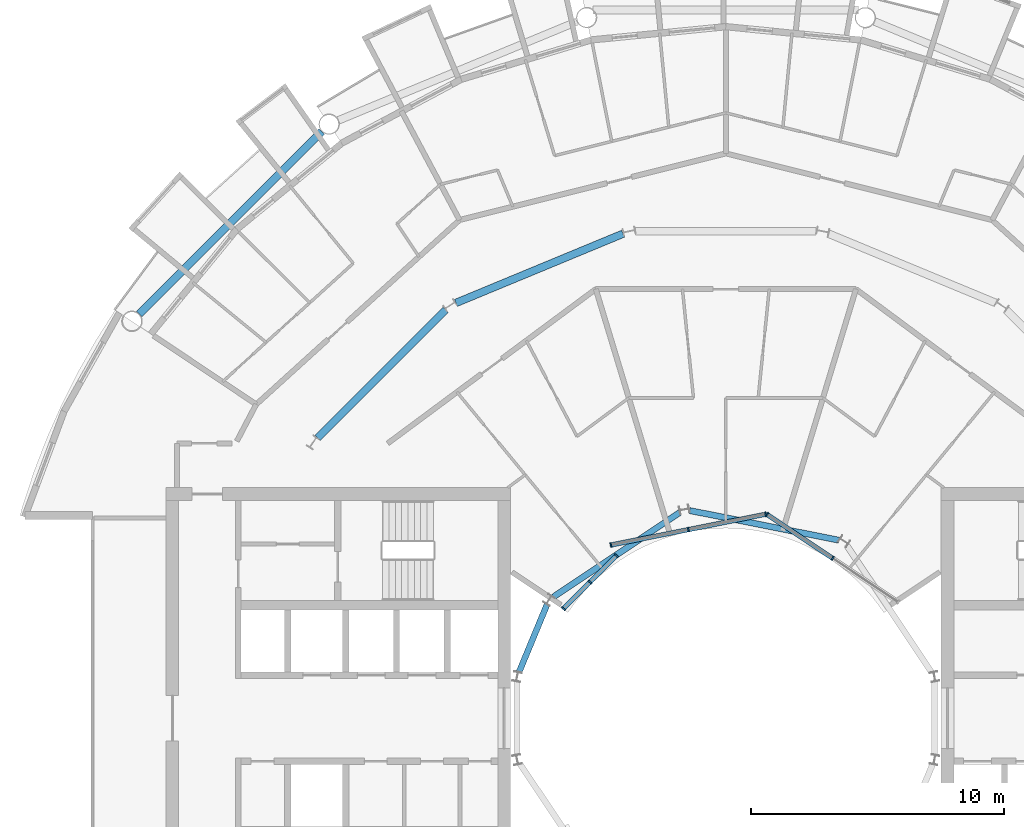
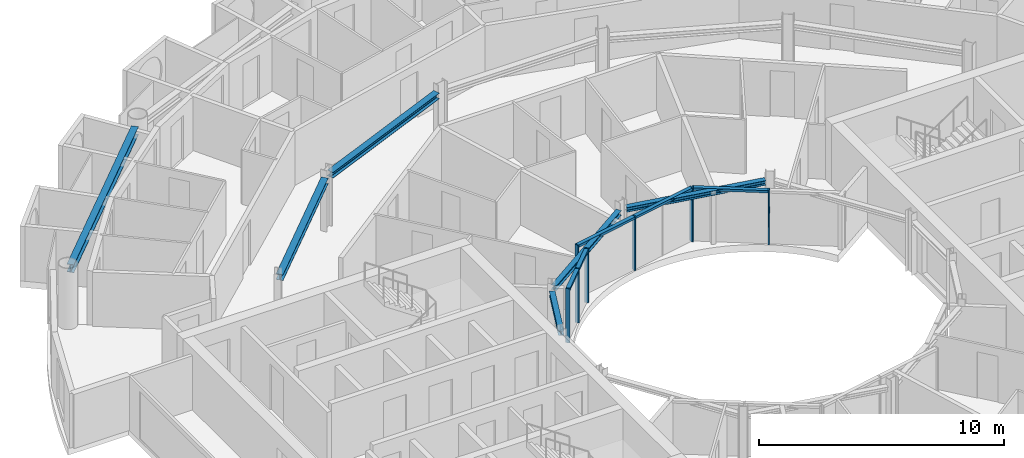
# One storey, part 8 of 27: 13 members, 6 beams, 3 elements without a shape of their own.
"""IFC4 building model written with IfcOpenShell, lengths in metres."""

from ifc_helpers import new_model, si_unit, direction, frame, origin, origin_2d, place, context, subcontext, project, spatial, rectangle, i_section, extrude, material, layer, layer_set, material_profile, profile_set, type_object, element, aggregate, save


model = new_model("IFC4")

# Units and contexts
model_context = context("Model", 3, precision=1e-05, world=origin(), true_north=direction((0.0, 1.0)))
body_context = subcontext(model_context, "Body", "Model", "MODEL_VIEW")
ifc_project = project(units=[si_unit("LENGTHUNIT", "METRE"), si_unit("AREAUNIT", "SQUARE_METRE"), si_unit("VOLUMEUNIT", "CUBIC_METRE"), si_unit("PLANEANGLEUNIT", "RADIAN"), si_unit("MASSUNIT", "GRAM", prefix="KILO")], contexts=[model_context])

# Site, building, storey
site_placement = place(None, origin())
site = spatial("IfcSite", under=ifc_project, at=site_placement, CompositionType="ELEMENT")
building_placement = place(site_placement, origin())
building = spatial("IfcBuilding", under=site, at=building_placement, Name="Maasbend Ring Residences", CompositionType="ELEMENT")
storey_placement = place(building_placement, frame((0.0, 0.0, 151.300048828125)))
storey = spatial("IfcBuildingStorey", under=building, at=storey_placement, Name="L43", CompositionType="ELEMENT", Elevation=151.300048828125)

# Curtain wall, members
ifc_material_1 = material(Name="Aluminium and clear glass", Category="aluminium")
ifc_layer = layer(ifc_material_1, 0.179931640625)
ifc_layer_set = layer_set([ifc_layer], Name="CW-W")
curtain_wall_type = type_object("IfcCurtainWallType", Name="CW-W", PredefinedType="NOTDEFINED", material=ifc_layer_set)
curtain_wall_1_placement = place(storey_placement, origin())
curtain_wall_1 = element("IfcCurtainWall", 1, at=curtain_wall_1_placement, inside=storey, type_object=curtain_wall_type, Name="Well curtain wall N1", PredefinedType="NOTDEFINED")
ifc_material_2 = material(Name="Aluminium 6063-T6", Category="aluminium")
ifc_material_profile_1 = material_profile(ifc_material_2, rectangle(XDim=0.179931640625, YDim=0.06005859375, at=origin_2d()), Name="AL 180x60")
ifc_profile_set_1 = profile_set([ifc_material_profile_1], Name="Aluminium 6063-T6")
member_type_1 = type_object("IfcMemberType", Name="CWM-W", PredefinedType="MULLION", material=ifc_profile_set_1)
member_1_placement = place(storey_placement, frame((4.216796875, 6.310791015625, 0.0), z_axis=(0.0, 0.0, 1.0), x_axis=(-0.55557023302, -0.831469612303, 0.0)))
member_1 = element("IfcMember", 2, at=member_1_placement, type_object=member_type_1, Name="Mullion well face", PredefinedType="MULLION", context=body_context, shape_type="SweptSolid", body=[
    extrude(rectangle(XDim=0.179931640625, YDim=0.06005859375, at=origin_2d()), origin(), (0.0, 0.0, 1.0), 2.699951171875),
])
member_2_placement = place(storey_placement, frame((1.627685546875, 8.040771484375, 0.0), z_axis=(0.0, 0.0, 1.0), x_axis=(-0.55557023302, -0.831469612303, 0.0)))
member_2 = element("IfcMember", 3, at=member_2_placement, type_object=member_type_1, Name="Mullion well face", PredefinedType="MULLION", context=body_context, shape_type="SweptSolid", body=[
    extrude(rectangle(XDim=0.179931640625, YDim=0.06005859375, at=origin_2d()), origin(), (0.0, 0.0, 1.0), 2.699951171875),
])

curtain_wall_2_placement = place(storey_placement, origin())
curtain_wall_2 = element("IfcCurtainWall", 4, at=curtain_wall_2_placement, inside=storey, type_object=curtain_wall_type, Name="Well curtain wall N2", PredefinedType="NOTDEFINED")
member_3_placement = place(storey_placement, frame((1.5732421875, 8.0517578125, 0.0), z_axis=(0.0, 0.0, 1.0), x_axis=(0.195090322016, -0.980785280403, 0.0)))
member_3 = element("IfcMember", 5, at=member_3_placement, type_object=member_type_1, Name="Mullion well face", PredefinedType="MULLION", context=body_context, shape_type="SweptSolid", body=[
    extrude(rectangle(XDim=0.179931640625, YDim=0.06005859375, at=origin_2d()), origin(), (0.0, 0.0, 1.0), 2.699951171875),
])
member_4_placement = place(storey_placement, frame((-1.480712890625, 7.444091796875, 0.0), z_axis=(0.0, 0.0, 1.0), x_axis=(0.195090322016, -0.980785280403, 0.0)))
member_4 = element("IfcMember", 6, at=member_4_placement, type_object=member_type_1, Name="Mullion well face", PredefinedType="MULLION", context=body_context, shape_type="SweptSolid", body=[
    extrude(rectangle(XDim=0.179931640625, YDim=0.06005859375, at=origin_2d()), origin(), (0.0, 0.0, 1.0), 2.699951171875),
])
member_5_placement = place(storey_placement, frame((-4.53466796875, 6.836669921875, 0.0), z_axis=(0.0, 0.0, 1.0), x_axis=(0.195090322016, -0.980785280403, 0.0)))
member_5 = element("IfcMember", 7, at=member_5_placement, type_object=member_type_1, Name="Mullion well face", PredefinedType="MULLION", context=body_context, shape_type="SweptSolid", body=[
    extrude(rectangle(XDim=0.179931640625, YDim=0.06005859375, at=origin_2d()), origin(), (0.0, 0.0, 1.0), 2.699951171875),
])

curtain_wall_3_placement = place(storey_placement, origin())
curtain_wall_3 = element("IfcCurtainWall", 8, at=curtain_wall_3_placement, inside=storey, type_object=curtain_wall_type, Name="Well curtain wall N3", PredefinedType="NOTDEFINED")
member_6_placement = place(storey_placement, frame((-4.320556640625, 6.413330078125, 0.0), z_axis=(0.0, 0.0, 1.0), x_axis=(0.707106781187, -0.707106781187, 0.0)))
member_6 = element("IfcMember", 9, at=member_6_placement, type_object=member_type_1, Name="Mullion well face", PredefinedType="MULLION", context=body_context, shape_type="SweptSolid", body=[
    extrude(rectangle(XDim=0.179931640625, YDim=0.06005859375, at=origin_2d()), origin(), (0.0, 0.0, 1.0), 2.699951171875),
])
member_7_placement = place(storey_placement, frame((-5.366943359375, 5.366943359375, 0.0), z_axis=(0.0, 0.0, 1.0), x_axis=(0.707106781187, -0.707106781187, 0.0)))
member_7 = element("IfcMember", 10, at=member_7_placement, type_object=member_type_1, Name="Mullion well face", PredefinedType="MULLION", context=body_context, shape_type="SweptSolid", body=[
    extrude(rectangle(XDim=0.179931640625, YDim=0.06005859375, at=origin_2d()), origin(), (0.0, 0.0, 1.0), 2.699951171875),
])
member_8_placement = place(storey_placement, frame((-6.413330078125, 4.320556640625, 0.0), z_axis=(0.0, 0.0, 1.0), x_axis=(0.707106781187, -0.707106781187, 0.0)))
member_8 = element("IfcMember", 11, at=member_8_placement, type_object=member_type_1, Name="Mullion well face", PredefinedType="MULLION", context=body_context, shape_type="SweptSolid", body=[
    extrude(rectangle(XDim=0.179931640625, YDim=0.06005859375, at=origin_2d()), origin(), (0.0, 0.0, 1.0), 2.699951171875),
])

# Member
ifc_material_3 = material(Name="Aluminium 6063-T6", Category="aluminium")
ifc_material_profile_2 = material_profile(ifc_material_3, rectangle(XDim=0.179931640625, YDim=0.1201171875, at=origin_2d()), Name="AL 180x120")
ifc_profile_set_2 = profile_set([ifc_material_profile_2], Name="Aluminium 6063-T6")
member_type_2 = type_object("IfcMemberType", Name="CWT-W", PredefinedType="USERDEFINED", material=ifc_profile_set_2)
member_9_placement = place(storey_placement, frame((4.19189453125, 6.32763671875, 2.639892578125), z_axis=(-0.831496422459, 0.555530106689, 0.0), x_axis=(-0.555530106689, -0.831496422459, 0.0)))
member_9 = element("IfcMember", 12, at=member_9_placement, type_object=member_type_2, Name="Transom well face", ObjectType="TRANSOM", PredefinedType="USERDEFINED", context=body_context, shape_type="SweptSolid", body=[
    extrude(rectangle(XDim=0.179931640625, YDim=0.1201171875, at=origin_2d()), origin(), (0.0, 0.0, 1.0), 3.053955078125),
])

aggregate(curtain_wall_1, [member_1, member_2, member_9])

member_10_placement = place(storey_placement, frame((1.5439453125, 8.0458984375, 2.639892578125), z_axis=(-0.980776956105, -0.195132166424, 0.0), x_axis=(0.195132166424, -0.980776956105, 0.0)))
member_10 = element("IfcMember", 13, at=member_10_placement, type_object=member_type_2, Name="Transom well face", ObjectType="TRANSOM", PredefinedType="USERDEFINED", context=body_context, shape_type="SweptSolid", body=[
    extrude(rectangle(XDim=0.179931640625, YDim=0.1201171875, at=origin_2d()), origin(), (0.0, 0.0, 1.0), 3.053955078125),
])

member_11_placement = place(storey_placement, frame((-1.51025390625, 7.438232421875, 2.639892578125), z_axis=(-0.980789210404, -0.19507056353, 0.0), x_axis=(0.19507056353, -0.980789210404, 0.0)))
member_11 = element("IfcMember", 14, at=member_11_placement, type_object=member_type_2, Name="Transom well face", ObjectType="TRANSOM", PredefinedType="USERDEFINED", context=body_context, shape_type="SweptSolid", body=[
    extrude(rectangle(XDim=0.179931640625, YDim=0.1201171875, at=origin_2d()), origin(), (0.0, 0.0, 1.0), 3.0537109375),
])

aggregate(curtain_wall_2, [member_3, member_4, member_5, member_10, member_11])

member_12_placement = place(storey_placement, frame((-4.341796875, 6.39208984375, 2.639892578125), z_axis=(-0.707106781187, -0.707106781187, 0.0), x_axis=(0.707106781187, -0.707106781187, 0.0)))
member_12 = element("IfcMember", 15, at=member_12_placement, type_object=member_type_2, Name="Transom well face", ObjectType="TRANSOM", PredefinedType="USERDEFINED", context=body_context, shape_type="SweptSolid", body=[
    extrude(rectangle(XDim=0.179931640625, YDim=0.1201171875, at=origin_2d()), origin(), (0.0, 0.0, 1.0), 1.419677734375),
])

member_13_placement = place(storey_placement, frame((-5.38818359375, 5.345703125, 2.639892578125), z_axis=(-0.707106781187, -0.707106781187, 0.0), x_axis=(0.707106781187, -0.707106781187, 0.0)))
member_13 = element("IfcMember", 16, at=member_13_placement, type_object=member_type_2, Name="Transom well face", ObjectType="TRANSOM", PredefinedType="USERDEFINED", context=body_context, shape_type="SweptSolid", body=[
    extrude(rectangle(XDim=0.179931640625, YDim=0.1201171875, at=origin_2d()), origin(), (0.0, 0.0, 1.0), 1.419677734375),
])

aggregate(curtain_wall_3, [member_6, member_7, member_8, member_12, member_13])

# Beams
ifc_material_4 = material(Name="Steel S355J2", Category="steel")
ifc_material_profile_3 = material_profile(ifc_material_4, i_section(OverallWidth=0.300048828125, OverallDepth=0.2900390625, WebThickness=0.008544921875, FlangeThickness=0.013916015625, FilletRadius=0.027099609375, at=origin_2d()), Name="HEA 300")
ifc_profile_set_3 = profile_set([ifc_material_profile_3], Name="Steel S355J2")
beam_type_1 = type_object("IfcBeamType", Name="Corridor ring beam HEA 300", PredefinedType="BEAM", material=ifc_profile_set_3)
for number, where, z_axis, x_axis, name in (
    (17, (-4.059326171875, 19.1259765625, 2.554931640625), (-0.923871339849, -0.382703210602, 0.0), (0.382703210602, -0.923871339849, 0.0), "Corridor ring beam"),
    (18, (-11.0693359375, 16.11669921875, 2.554931640625), (-0.707106781187, -0.707106781187, 0.0), (0.707106781187, -0.707106781187, 0.0), "Corridor ring beam"),
):
    element("IfcBeam", number, at=place(storey_placement, frame(where, z_axis=z_axis, x_axis=x_axis)), inside=storey, type_object=beam_type_1, Name=name, PredefinedType="BEAM", context=body_context, shape_type="SweptSolid", body=[
        extrude(i_section(OverallWidth=0.300048828125, OverallDepth=0.2900390625, WebThickness=0.008544921875, FlangeThickness=0.013916015625, FilletRadius=0.027099609375, at=origin_2d()), origin(), (0.0, 0.0, 1.0), 7.137939453125),
    ])
ifc_material_5 = material(Name="Steel S355J2", Category="steel")
ifc_material_profile_4 = material_profile(ifc_material_5, i_section(OverallWidth=0.300048828125, OverallDepth=0.39990234375, WebThickness=0.013427734375, FlangeThickness=0.02392578125, FilletRadius=0.027099609375, at=origin_2d()), Name="HEB 400")
ifc_profile_set_4 = profile_set([ifc_material_profile_4], Name="Steel S355J2")
beam_type_2 = type_object("IfcBeamType", Name="Spandrel ring beam HEB 400", PredefinedType="SPANDREL", material=ifc_profile_set_4)
beam_1_placement = place(storey_placement, frame((-15.95458984375, 23.159912109375, 2.5), z_axis=(-0.707106781187, -0.707106781187, 0.0), x_axis=(0.707106781187, -0.707106781187, 0.0)))
element("IfcBeam", 19, at=beam_1_placement, inside=storey, type_object=beam_type_2, Name="Spandrel ring beam", PredefinedType="SPANDREL", context=body_context, shape_type="SweptSolid", body=[
    extrude(i_section(OverallWidth=0.300048828125, OverallDepth=0.39990234375, WebThickness=0.013427734375, FlangeThickness=0.02392578125, FilletRadius=0.027099609375, at=origin_2d()), origin(), (0.0, 0.0, 1.0), 10.18994140625),
])
ifc_material_6 = material(Name="Steel S355J2", Category="steel")
ifc_material_profile_5 = material_profile(ifc_material_6, i_section(OverallWidth=0.239990234375, OverallDepth=0.22998046875, WebThickness=0.007568359375, FlangeThickness=0.011962890625, FilletRadius=0.02099609375, at=origin_2d()), Name="HEA 240")
ifc_profile_set_5 = profile_set([ifc_material_profile_5], Name="Steel S355J2")
beam_type_3 = type_object("IfcBeamType", Name="Well edge beam HEA 240", PredefinedType="BEAM", material=ifc_profile_set_5)
beam_2_placement = place(storey_placement, frame((4.459716796875, 7.025390625, 2.5849609375), z_axis=(-0.980778695042, 0.195123425945, 0.0), x_axis=(-0.195123425945, -0.980778695042, 0.0)))
element("IfcBeam", 20, at=beam_2_placement, inside=storey, type_object=beam_type_3, Name="Well edge beam", PredefinedType="BEAM", context=body_context, shape_type="SweptSolid", body=[
    extrude(i_section(OverallWidth=0.239990234375, OverallDepth=0.22998046875, WebThickness=0.007568359375, FlangeThickness=0.011962890625, FilletRadius=0.02099609375, at=origin_2d()), origin(), (0.0, 0.0, 1.0), 6.007080078125),
])
beam_3_placement = place(storey_placement, frame((-1.814208984375, 8.121337890625, 2.5849609375), z_axis=(-0.831480850227, -0.555553413909, 0.0), x_axis=(0.555553413909, -0.831480850227, 0.0)))
element("IfcBeam", 21, at=beam_3_placement, inside=storey, type_object=beam_type_3, Name="Well edge beam", PredefinedType="BEAM", context=body_context, shape_type="SweptSolid", body=[
    extrude(i_section(OverallWidth=0.239990234375, OverallDepth=0.22998046875, WebThickness=0.007568359375, FlangeThickness=0.011962890625, FilletRadius=0.02099609375, at=origin_2d()), origin(), (0.0, 0.0, 1.0), 6.0068359375),
])
beam_4_placement = place(storey_placement, frame((-7.060302734375, 4.483154296875, 2.5849609375), z_axis=(-0.382748596828, -0.923852537814, 0.0), x_axis=(0.923852537814, -0.382748596828, 0.0)))
element("IfcBeam", 22, at=beam_4_placement, inside=storey, type_object=beam_type_3, Name="Well edge beam", PredefinedType="BEAM", context=body_context, shape_type="SweptSolid", body=[
    extrude(i_section(OverallWidth=0.239990234375, OverallDepth=0.22998046875, WebThickness=0.007568359375, FlangeThickness=0.011962890625, FilletRadius=0.02099609375, at=origin_2d()), origin(), (0.0, 0.0, 1.0), 2.8798828125),
])

save(model, "model.ifc")
